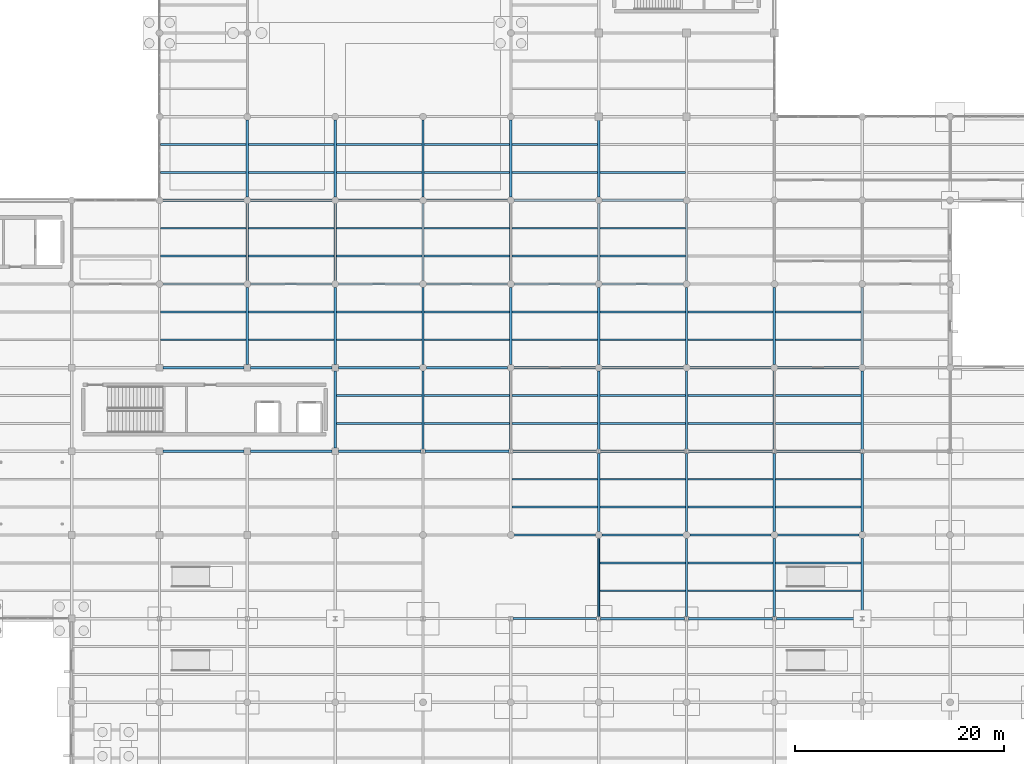
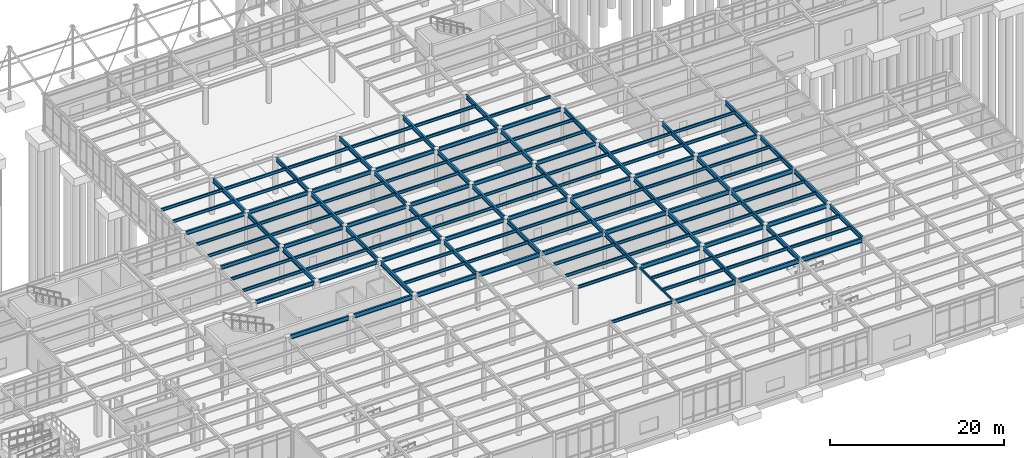
# One storey, part 36 of 138: 135 beams.
"""IFC4 building model written with IfcOpenShell, lengths in metres."""

from ifc_helpers import new_model, si_unit, direction, frame, origin, origin_2d, place, context, subcontext, project, spatial, hollow_rectangle, i_section, extrude, material, material_profile, profile_set, type_object, element, save


model = new_model("IFC4")

# Units and contexts
model_context = context("Model", 3, precision=1e-05, world=origin(), true_north=direction((0.0, 1.0)))
body_context = subcontext(model_context, "Body", "Model", "MODEL_VIEW")
ifc_project = project(units=[si_unit("LENGTHUNIT", "METRE"), si_unit("AREAUNIT", "SQUARE_METRE"), si_unit("VOLUMEUNIT", "CUBIC_METRE"), si_unit("PLANEANGLEUNIT", "RADIAN"), si_unit("MASSUNIT", "GRAM", prefix="KILO")], contexts=[model_context])

# Site, building, storey
site_placement = place(None, origin())
site = spatial("IfcSite", under=ifc_project, at=site_placement, CompositionType="ELEMENT")
building_placement = place(site_placement, origin())
building = spatial("IfcBuilding", under=site, at=building_placement, Name="Kranzveld Transit Interchange", CompositionType="ELEMENT")
storey_placement = place(building_placement, origin())
storey = spatial("IfcBuildingStorey", under=building, at=storey_placement, Name="L00", CompositionType="ELEMENT", Elevation=0.0)

# Beams
ifc_material_1 = material(Name="Steel S355JR", Category="steel")
ifc_material_profile_1 = material_profile(ifc_material_1, hollow_rectangle(XDim=0.199951171875, YDim=0.300048828125, WallThickness=0.010009765625, InnerFilletRadius=0.014892578125, OuterFilletRadius=0.02490234375, at=origin_2d()), Name="RHS 300x200x10")
ifc_profile_set_1 = profile_set([ifc_material_profile_1], Name="Steel S355JR")
beam_type_1 = type_object("IfcBeamType", Name="Edge Spandrel RHS 300x200x10 S355JR", PredefinedType="SPANDREL", material=ifc_profile_set_1)
beam_1_placement = place(storey_placement, frame((100.800048828125, 16.186767578125, 5.0), z_axis=(0.0, 1.0, 0.0), x_axis=(-1.0, 0.0, 0.0)))
element("IfcBeam", 1, at=beam_1_placement, inside=storey, type_object=beam_type_1, Name="L00 Girder 13/C-D", PredefinedType="SPANDREL", context=body_context, shape_type="SweptSolid", body=[
    extrude(hollow_rectangle(XDim=0.199951171875, YDim=0.300048828125, WallThickness=0.010009765625, InnerFilletRadius=0.014892578125, OuterFilletRadius=0.02490234375, at=origin_2d()), origin(), (0.0, 0.0, 1.0), 7.498291015625),
])
ifc_material_2 = material(Name="Steel S355JR", Category="steel")
ifc_material_profile_2 = material_profile(ifc_material_2, i_section(OverallWidth=0.1787109375, OverallDepth=0.409423828125, WebThickness=0.0087890625, FlangeThickness=0.014404296875, FilletRadius=0.01025390625, at=origin_2d()), Name="UB 406x178x67")
ifc_profile_set_2 = profile_set([ifc_material_profile_2], Name="Steel S355JR")
beam_type_2 = type_object("IfcBeamType", Name="Facade Spandrel UB 406x178x67 S355JR", PredefinedType="SPANDREL", material=ifc_profile_set_2)
beam_2_placement = place(storey_placement, frame((92.589599609375, 16.0, 4.9453125), z_axis=(1.0, 0.0, 0.0), x_axis=(0.0, 1.0, 0.0)))
element("IfcBeam", 2, at=beam_2_placement, inside=storey, type_object=beam_type_2, Name="L00 Girder 12-13/C", PredefinedType="SPANDREL", context=body_context, shape_type="SweptSolid", body=[
    extrude(i_section(OverallWidth=0.1787109375, OverallDepth=0.409423828125, WebThickness=0.0087890625, FlangeThickness=0.014404296875, FilletRadius=0.01025390625, at=origin_2d()), origin(), (0.0, 0.0, 1.0), 8.02099609375),
])
beam_3_placement = place(storey_placement, frame((92.715087890625, 24.0, 4.9453125), z_axis=(1.0, 0.0, 0.0), x_axis=(0.0, 1.0, 0.0)))
element("IfcBeam", 3, at=beam_3_placement, inside=storey, type_object=beam_type_2, Name="L00 Girder 12-13/D", PredefinedType="SPANDREL", context=body_context, shape_type="SweptSolid", body=[
    extrude(i_section(OverallWidth=0.1787109375, OverallDepth=0.409423828125, WebThickness=0.0087890625, FlangeThickness=0.014404296875, FilletRadius=0.01025390625, at=origin_2d()), origin(), (0.0, 0.0, 1.0), 7.77001953125),
])
ifc_material_3 = material(Name="Steel S355JR", Category="steel")
ifc_material_profile_3 = material_profile(ifc_material_3, i_section(OverallWidth=0.177734375, OverallDepth=0.402587890625, WebThickness=0.0078125, FlangeThickness=0.010986328125, FilletRadius=0.01025390625, at=origin_2d()), Name="UB 406x178x54")
ifc_profile_set_3 = profile_set([ifc_material_profile_3], Name="Steel S355JR")
beam_type_3 = type_object("IfcBeamType", Name="Floor Joist UB 406x178x54 S355JR", PredefinedType="JOIST", material=ifc_profile_set_3)
for number, where, z_axis, x_axis, name in (
    (4, (58.916015625, 42.666748046875, 4.94873046875), (1.0, 0.0, 0.0), (0.0, 1.0, 0.0), "L00 Secondary Joist 08-09/F.1"),
    (5, (58.916015625, 45.333251953125, 4.94873046875), (1.0, 0.0, 0.0), (0.0, 1.0, 0.0), "L00 Secondary Joist 08-09/F.2"),
    (6, (58.916015625, 50.666748046875, 4.94873046875), (1.0, 0.0, 0.0), (0.0, 1.0, 0.0), "L00 Secondary Joist 08-09/G.1"),
    (7, (58.916015625, 53.333251953125, 4.94873046875), (1.0, 0.0, 0.0), (0.0, 1.0, 0.0), "L00 Secondary Joist 08-09/G.2"),
):
    element("IfcBeam", number, at=place(storey_placement, frame(where, z_axis=z_axis, x_axis=x_axis)), inside=storey, type_object=beam_type_3, Name=name, PredefinedType="JOIST", context=body_context, shape_type="SweptSolid", body=[
        extrude(i_section(OverallWidth=0.177734375, OverallDepth=0.402587890625, WebThickness=0.0078125, FlangeThickness=0.010986328125, FilletRadius=0.01025390625, at=origin_2d()), origin(), (0.0, 0.0, 1.0), 8.16796875),
    ])
for number, where, z_axis, x_axis, name in (
    (8, (58.902099609375, 58.666748046875, 4.94873046875), (1.0, 0.0, 0.0), (0.0, 1.0, 0.0), "L00 Secondary Joist 08-09/H.1"),
    (9, (58.902099609375, 61.333251953125, 4.94873046875), (1.0, 0.0, 0.0), (0.0, 1.0, 0.0), "L00 Secondary Joist 08-09/H.2"),
):
    element("IfcBeam", number, at=place(storey_placement, frame(where, z_axis=z_axis, x_axis=x_axis)), inside=storey, type_object=beam_type_3, Name=name, PredefinedType="JOIST", context=body_context, shape_type="SweptSolid", body=[
        extrude(i_section(OverallWidth=0.177734375, OverallDepth=0.402587890625, WebThickness=0.0078125, FlangeThickness=0.010986328125, FilletRadius=0.01025390625, at=origin_2d()), origin(), (0.0, 0.0, 1.0), 8.181884765625),
    ])
for number, where, z_axis, x_axis, name in (
    (10, (67.316162109375, 42.666748046875, 4.94873046875), (1.0, 0.0, 0.0), (0.0, 1.0, 0.0), "L00 Secondary Joist 09-10/F.1"),
    (11, (67.316162109375, 45.333251953125, 4.94873046875), (1.0, 0.0, 0.0), (0.0, 1.0, 0.0), "L00 Secondary Joist 09-10/F.2"),
    (12, (67.316162109375, 50.666748046875, 4.94873046875), (1.0, 0.0, 0.0), (0.0, 1.0, 0.0), "L00 Secondary Joist 09-10/G.1"),
    (13, (67.316162109375, 53.333251953125, 4.94873046875), (1.0, 0.0, 0.0), (0.0, 1.0, 0.0), "L00 Secondary Joist 09-10/G.2"),
    (14, (67.316162109375, 58.666748046875, 4.94873046875), (1.0, 0.0, 0.0), (0.0, 1.0, 0.0), "L00 Secondary Joist 09-10/H.1"),
    (15, (67.316162109375, 61.333251953125, 4.94873046875), (1.0, 0.0, 0.0), (0.0, 1.0, 0.0), "L00 Secondary Joist 09-10/H.2"),
    (16, (75.716064453125, 34.666748046875, 4.94873046875), (1.0, 0.0, 0.0), (0.0, 1.0, 0.0), "L00 Secondary Joist 10-11/E.1"),
    (17, (75.716064453125, 37.333251953125, 4.94873046875), (1.0, 0.0, 0.0), (0.0, 1.0, 0.0), "L00 Secondary Joist 10-11/E.2"),
    (18, (75.716064453125, 42.666748046875, 4.94873046875), (1.0, 0.0, 0.0), (0.0, 1.0, 0.0), "L00 Secondary Joist 10-11/F.1"),
    (19, (75.716064453125, 45.333251953125, 4.94873046875), (1.0, 0.0, 0.0), (0.0, 1.0, 0.0), "L00 Secondary Joist 10-11/F.2"),
    (20, (75.716064453125, 50.666748046875, 4.94873046875), (1.0, 0.0, 0.0), (0.0, 1.0, 0.0), "L00 Secondary Joist 10-11/G.1"),
    (21, (75.716064453125, 53.333251953125, 4.94873046875), (1.0, 0.0, 0.0), (0.0, 1.0, 0.0), "L00 Secondary Joist 10-11/G.2"),
    (22, (75.716064453125, 58.666748046875, 4.94873046875), (1.0, 0.0, 0.0), (0.0, 1.0, 0.0), "L00 Secondary Joist 10-11/H.1"),
    (23, (75.716064453125, 61.333251953125, 4.94873046875), (1.0, 0.0, 0.0), (0.0, 1.0, 0.0), "L00 Secondary Joist 10-11/H.2"),
    (24, (84.1162109375, 34.666748046875, 4.94873046875), (1.0, 0.0, 0.0), (0.0, 1.0, 0.0), "L00 Secondary Joist 11-12/E.1"),
    (25, (84.1162109375, 37.333251953125, 4.94873046875), (1.0, 0.0, 0.0), (0.0, 1.0, 0.0), "L00 Secondary Joist 11-12/E.2"),
    (26, (84.1162109375, 42.666748046875, 4.94873046875), (1.0, 0.0, 0.0), (0.0, 1.0, 0.0), "L00 Secondary Joist 11-12/F.1"),
    (27, (84.1162109375, 45.333251953125, 4.94873046875), (1.0, 0.0, 0.0), (0.0, 1.0, 0.0), "L00 Secondary Joist 11-12/F.2"),
    (28, (84.1162109375, 50.666748046875, 4.94873046875), (1.0, 0.0, 0.0), (0.0, 1.0, 0.0), "L00 Secondary Joist 11-12/G.1"),
    (29, (84.1162109375, 53.333251953125, 4.94873046875), (1.0, 0.0, 0.0), (0.0, 1.0, 0.0), "L00 Secondary Joist 11-12/G.2"),
    (30, (84.1162109375, 58.666748046875, 4.94873046875), (1.0, 0.0, 0.0), (0.0, 1.0, 0.0), "L00 Secondary Joist 11-12/H.1"),
    (31, (84.1162109375, 61.333251953125, 4.94873046875), (1.0, 0.0, 0.0), (0.0, 1.0, 0.0), "L00 Secondary Joist 11-12/H.2"),
    (32, (92.51611328125, 26.666748046875, 4.94873046875), (1.0, 0.0, 0.0), (0.0, 1.0, 0.0), "L00 Secondary Joist 12-13/D.1"),
    (33, (92.51611328125, 29.333251953125, 4.94873046875), (1.0, 0.0, 0.0), (0.0, 1.0, 0.0), "L00 Secondary Joist 12-13/D.2"),
    (34, (92.51611328125, 34.666748046875, 4.94873046875), (1.0, 0.0, 0.0), (0.0, 1.0, 0.0), "L00 Secondary Joist 12-13/E.1"),
    (35, (92.51611328125, 37.333251953125, 4.94873046875), (1.0, 0.0, 0.0), (0.0, 1.0, 0.0), "L00 Secondary Joist 12-13/E.2"),
    (36, (92.51611328125, 42.666748046875, 4.94873046875), (1.0, 0.0, 0.0), (0.0, 1.0, 0.0), "L00 Secondary Joist 12-13/F.1"),
    (37, (92.51611328125, 45.333251953125, 4.94873046875), (1.0, 0.0, 0.0), (0.0, 1.0, 0.0), "L00 Secondary Joist 12-13/F.2"),
    (38, (92.51611328125, 50.666748046875, 4.94873046875), (1.0, 0.0, 0.0), (0.0, 1.0, 0.0), "L00 Secondary Joist 12-13/G.1"),
    (39, (92.51611328125, 53.333251953125, 4.94873046875), (1.0, 0.0, 0.0), (0.0, 1.0, 0.0), "L00 Secondary Joist 12-13/G.2"),
    (40, (92.51611328125, 58.666748046875, 4.94873046875), (1.0, 0.0, 0.0), (0.0, 1.0, 0.0), "L00 Secondary Joist 12-13/H.1"),
    (41, (92.51611328125, 61.333251953125, 4.94873046875), (1.0, 0.0, 0.0), (0.0, 1.0, 0.0), "L00 Secondary Joist 12-13/H.2"),
):
    element("IfcBeam", number, at=place(storey_placement, frame(where, z_axis=z_axis, x_axis=x_axis)), inside=storey, type_object=beam_type_3, Name=name, PredefinedType="JOIST", context=body_context, shape_type="SweptSolid", body=[
        extrude(i_section(OverallWidth=0.177734375, OverallDepth=0.402587890625, WebThickness=0.0078125, FlangeThickness=0.010986328125, FilletRadius=0.01025390625, at=origin_2d()), origin(), (0.0, 0.0, 1.0), 8.167724609375),
    ])
for number, where, z_axis, x_axis, name in (
    (42, (100.902099609375, 18.666748046875, 4.94873046875), (1.0, 0.0, 0.0), (0.0, 1.0, 0.0), "L00 Secondary Joist 13-14/C.1"),
    (43, (100.902099609375, 21.333251953125, 4.94873046875), (1.0, 0.0, 0.0), (0.0, 1.0, 0.0), "L00 Secondary Joist 13-14/C.2"),
):
    element("IfcBeam", number, at=place(storey_placement, frame(where, z_axis=z_axis, x_axis=x_axis)), inside=storey, type_object=beam_type_3, Name=name, PredefinedType="JOIST", context=body_context, shape_type="SweptSolid", body=[
        extrude(i_section(OverallWidth=0.177734375, OverallDepth=0.402587890625, WebThickness=0.0078125, FlangeThickness=0.010986328125, FilletRadius=0.01025390625, at=origin_2d()), origin(), (0.0, 0.0, 1.0), 8.181884765625),
    ])
for number, where, z_axis, x_axis, name in (
    (44, (100.916015625, 26.666748046875, 4.94873046875), (1.0, 0.0, 0.0), (0.0, 1.0, 0.0), "L00 Secondary Joist 13-14/D.1"),
    (45, (100.916015625, 29.333251953125, 4.94873046875), (1.0, 0.0, 0.0), (0.0, 1.0, 0.0), "L00 Secondary Joist 13-14/D.2"),
    (46, (100.916015625, 34.666748046875, 4.94873046875), (1.0, 0.0, 0.0), (0.0, 1.0, 0.0), "L00 Secondary Joist 13-14/E.1"),
    (47, (100.916015625, 37.333251953125, 4.94873046875), (1.0, 0.0, 0.0), (0.0, 1.0, 0.0), "L00 Secondary Joist 13-14/E.2"),
    (48, (100.916015625, 42.666748046875, 4.94873046875), (1.0, 0.0, 0.0), (0.0, 1.0, 0.0), "L00 Secondary Joist 13-14/F.1"),
    (49, (100.916015625, 45.333251953125, 4.94873046875), (1.0, 0.0, 0.0), (0.0, 1.0, 0.0), "L00 Secondary Joist 13-14/F.2"),
    (50, (100.916015625, 50.666748046875, 4.94873046875), (1.0, 0.0, 0.0), (0.0, 1.0, 0.0), "L00 Secondary Joist 13-14/G.1"),
    (51, (100.916015625, 53.333251953125, 4.94873046875), (1.0, 0.0, 0.0), (0.0, 1.0, 0.0), "L00 Secondary Joist 13-14/G.2"),
    (52, (100.916015625, 58.666748046875, 4.94873046875), (1.0, 0.0, 0.0), (0.0, 1.0, 0.0), "L00 Secondary Joist 13-14/H.1"),
):
    element("IfcBeam", number, at=place(storey_placement, frame(where, z_axis=z_axis, x_axis=x_axis)), inside=storey, type_object=beam_type_3, Name=name, PredefinedType="JOIST", context=body_context, shape_type="SweptSolid", body=[
        extrude(i_section(OverallWidth=0.177734375, OverallDepth=0.402587890625, WebThickness=0.0078125, FlangeThickness=0.010986328125, FilletRadius=0.01025390625, at=origin_2d()), origin(), (0.0, 0.0, 1.0), 8.16796875),
    ])
for number, where, z_axis, x_axis, name in (
    (53, (109.316162109375, 18.666748046875, 4.94873046875), (1.0, 0.0, 0.0), (0.0, 1.0, 0.0), "L00 Secondary Joist 14-15/C.1"),
    (54, (109.316162109375, 21.333251953125, 4.94873046875), (1.0, 0.0, 0.0), (0.0, 1.0, 0.0), "L00 Secondary Joist 14-15/C.2"),
    (55, (109.316162109375, 26.666748046875, 4.94873046875), (1.0, 0.0, 0.0), (0.0, 1.0, 0.0), "L00 Secondary Joist 14-15/D.1"),
    (56, (109.316162109375, 29.333251953125, 4.94873046875), (1.0, 0.0, 0.0), (0.0, 1.0, 0.0), "L00 Secondary Joist 14-15/D.2"),
    (57, (109.316162109375, 34.666748046875, 4.94873046875), (1.0, 0.0, 0.0), (0.0, 1.0, 0.0), "L00 Secondary Joist 14-15/E.1"),
    (58, (109.316162109375, 37.333251953125, 4.94873046875), (1.0, 0.0, 0.0), (0.0, 1.0, 0.0), "L00 Secondary Joist 14-15/E.2"),
    (59, (109.316162109375, 42.666748046875, 4.94873046875), (1.0, 0.0, 0.0), (0.0, 1.0, 0.0), "L00 Secondary Joist 14-15/F.1"),
    (60, (109.316162109375, 45.333251953125, 4.94873046875), (1.0, 0.0, 0.0), (0.0, 1.0, 0.0), "L00 Secondary Joist 14-15/F.2"),
    (61, (117.716064453125, 18.666748046875, 4.94873046875), (1.0, 0.0, 0.0), (0.0, 1.0, 0.0), "L00 Secondary Joist 15-16/C.1"),
    (62, (117.716064453125, 21.333251953125, 4.94873046875), (1.0, 0.0, 0.0), (0.0, 1.0, 0.0), "L00 Secondary Joist 15-16/C.2"),
    (63, (117.716064453125, 26.666748046875, 4.94873046875), (1.0, 0.0, 0.0), (0.0, 1.0, 0.0), "L00 Secondary Joist 15-16/D.1"),
    (64, (117.716064453125, 29.333251953125, 4.94873046875), (1.0, 0.0, 0.0), (0.0, 1.0, 0.0), "L00 Secondary Joist 15-16/D.2"),
    (65, (117.716064453125, 34.666748046875, 4.94873046875), (1.0, 0.0, 0.0), (0.0, 1.0, 0.0), "L00 Secondary Joist 15-16/E.1"),
    (66, (117.716064453125, 37.333251953125, 4.94873046875), (1.0, 0.0, 0.0), (0.0, 1.0, 0.0), "L00 Secondary Joist 15-16/E.2"),
    (67, (117.716064453125, 42.666748046875, 4.94873046875), (1.0, 0.0, 0.0), (0.0, 1.0, 0.0), "L00 Secondary Joist 15-16/F.1"),
    (68, (117.716064453125, 45.333251953125, 4.94873046875), (1.0, 0.0, 0.0), (0.0, 1.0, 0.0), "L00 Secondary Joist 15-16/F.2"),
):
    element("IfcBeam", number, at=place(storey_placement, frame(where, z_axis=z_axis, x_axis=x_axis)), inside=storey, type_object=beam_type_3, Name=name, PredefinedType="JOIST", context=body_context, shape_type="SweptSolid", body=[
        extrude(i_section(OverallWidth=0.177734375, OverallDepth=0.402587890625, WebThickness=0.0078125, FlangeThickness=0.010986328125, FilletRadius=0.01025390625, at=origin_2d()), origin(), (0.0, 0.0, 1.0), 8.167724609375),
    ])
ifc_material_4 = material(Name="Steel S355JR", Category="steel")
ifc_material_profile_4 = material_profile(ifc_material_4, i_section(OverallWidth=0.2119140625, OverallDepth=0.54443359375, WebThickness=0.0126953125, FlangeThickness=0.021240234375, FilletRadius=0.0126953125, at=origin_2d()), Name="UB 533x210x122")
ifc_profile_set_4 = profile_set([ifc_material_profile_4], Name="Steel S355JR")
beam_type_4 = type_object("IfcBeamType", Name="Girder Steel UB 533x210x122 S355JR", PredefinedType="BEAM", material=ifc_profile_set_4)
for number, where, z_axis, x_axis, name in (
    (69, (59.114990234375, 40.0, 4.877685546875), (1.0, 0.0, 0.0), (0.0, 1.0, 0.0), "L00 Girder 08-09/F"),
    (70, (67.514892578125, 40.0, 4.877685546875), (1.0, 0.0, 0.0), (0.0, 1.0, 0.0), "L00 Girder 09-10/F"),
    (71, (75.9150390625, 40.0, 4.877685546875), (1.0, 0.0, 0.0), (0.0, 1.0, 0.0), "L00 Girder 10-11/F"),
    (72, (84.31494140625, 40.0, 4.877685546875), (1.0, 0.0, 0.0), (0.0, 1.0, 0.0), "L00 Girder 11-12/F"),
    (73, (92.715087890625, 40.0, 4.877685546875), (1.0, 0.0, 0.0), (0.0, 1.0, 0.0), "L00 Girder 12-13/F"),
    (74, (101.114990234375, 40.0, 4.877685546875), (1.0, 0.0, 0.0), (0.0, 1.0, 0.0), "L00 Girder 13-14/F"),
    (75, (109.514892578125, 40.0, 4.877685546875), (1.0, 0.0, 0.0), (0.0, 1.0, 0.0), "L00 Girder 14-15/F"),
    (76, (117.9150390625, 40.0, 4.877685546875), (1.0, 0.0, 0.0), (0.0, 1.0, 0.0), "L00 Girder 15-16/F"),
    (77, (59.114990234375, 48.0, 4.877685546875), (1.0, 0.0, 0.0), (0.0, 1.0, 0.0), "L00 Girder 08-09/G"),
    (78, (67.514892578125, 48.0, 4.877685546875), (1.0, 0.0, 0.0), (0.0, 1.0, 0.0), "L00 Girder 09-10/G"),
    (79, (75.9150390625, 48.0, 4.877685546875), (1.0, 0.0, 0.0), (0.0, 1.0, 0.0), "L00 Girder 10-11/G"),
    (80, (84.31494140625, 48.0, 4.877685546875), (1.0, 0.0, 0.0), (0.0, 1.0, 0.0), "L00 Girder 11-12/G"),
    (81, (92.715087890625, 48.0, 4.877685546875), (1.0, 0.0, 0.0), (0.0, 1.0, 0.0), "L00 Girder 12-13/G"),
    (82, (101.114990234375, 48.0, 4.877685546875), (1.0, 0.0, 0.0), (0.0, 1.0, 0.0), "L00 Girder 13-14/G"),
    (83, (59.114990234375, 56.0, 4.877685546875), (1.0, 0.0, 0.0), (0.0, 1.0, 0.0), "L00 Girder 08-09/H"),
    (84, (67.514892578125, 56.0, 4.877685546875), (1.0, 0.0, 0.0), (0.0, 1.0, 0.0), "L00 Girder 09-10/H"),
    (85, (75.9150390625, 56.0, 4.877685546875), (1.0, 0.0, 0.0), (0.0, 1.0, 0.0), "L00 Girder 10-11/H"),
    (86, (84.31494140625, 56.0, 4.877685546875), (1.0, 0.0, 0.0), (0.0, 1.0, 0.0), "L00 Girder 11-12/H"),
    (87, (92.715087890625, 56.0, 4.877685546875), (1.0, 0.0, 0.0), (0.0, 1.0, 0.0), "L00 Girder 12-13/H"),
    (88, (101.114990234375, 56.0, 4.877685546875), (1.0, 0.0, 0.0), (0.0, 1.0, 0.0), "L00 Girder 13-14/H"),
):
    element("IfcBeam", number, at=place(storey_placement, frame(where, z_axis=z_axis, x_axis=x_axis)), inside=storey, type_object=beam_type_4, Name=name, PredefinedType="BEAM", context=body_context, shape_type="SweptSolid", body=[
        extrude(i_section(OverallWidth=0.2119140625, OverallDepth=0.54443359375, WebThickness=0.0126953125, FlangeThickness=0.021240234375, FilletRadius=0.0126953125, at=origin_2d()), origin(), (0.0, 0.0, 1.0), 7.77001953125),
    ])
ifc_material_5 = material(Name="Steel S355JR", Category="steel")
ifc_material_profile_5 = material_profile(ifc_material_5, i_section(OverallWidth=0.228271484375, OverallDepth=0.607666015625, WebThickness=0.010986328125, FlangeThickness=0.017333984375, FilletRadius=0.0126953125, at=origin_2d()), Name="UB 610x229x113")
ifc_profile_set_5 = profile_set([ifc_material_profile_5], Name="Steel S355JR")
beam_type_5 = type_object("IfcBeamType", Name="Girder Steel UB 610x229x113 S355JR", PredefinedType="BEAM", material=ifc_profile_set_5)
for number, where, z_axis, x_axis, name in (
    (89, (67.199951171875, 40.31494140625, 4.84619140625), (0.0, 1.0, 0.0), (-1.0, 0.0, 0.0), "L00 Girder 09/F-G"),
    (90, (67.199951171875, 48.31494140625, 4.84619140625), (0.0, 1.0, 0.0), (-1.0, 0.0, 0.0), "L00 Girder 09/G-H"),
    (91, (67.199951171875, 56.31494140625, 4.84619140625), (0.0, 1.0, 0.0), (-1.0, 0.0, 0.0), "L00 Girder 09/H-J"),
    (92, (75.60009765625, 32.31494140625, 4.84619140625), (0.0, 1.0, 0.0), (-1.0, 0.0, 0.0), "L00 Girder 10/E-F"),
    (93, (75.60009765625, 40.31494140625, 4.84619140625), (0.0, 1.0, 0.0), (-1.0, 0.0, 0.0), "L00 Girder 10/F-G"),
    (94, (75.60009765625, 48.31494140625, 4.84619140625), (0.0, 1.0, 0.0), (-1.0, 0.0, 0.0), "L00 Girder 10/G-H"),
    (95, (75.60009765625, 56.31494140625, 4.84619140625), (0.0, 1.0, 0.0), (-1.0, 0.0, 0.0), "L00 Girder 10/H-J"),
):
    element("IfcBeam", number, at=place(storey_placement, frame(where, z_axis=z_axis, x_axis=x_axis)), inside=storey, type_object=beam_type_5, Name=name, PredefinedType="BEAM", context=body_context, shape_type="SweptSolid", body=[
        extrude(i_section(OverallWidth=0.228271484375, OverallDepth=0.607666015625, WebThickness=0.010986328125, FlangeThickness=0.017333984375, FilletRadius=0.0126953125, at=origin_2d()), origin(), (0.0, 0.0, 1.0), 7.3701171875),
    ])
beam_4_placement = place(storey_placement, frame((84.0, 32.186767578125, 4.84619140625), z_axis=(0.0, 1.0, 0.0), x_axis=(-1.0, 0.0, 0.0)))
element("IfcBeam", 96, at=beam_4_placement, inside=storey, type_object=beam_type_5, Name="L00 Girder 11/E-F", PredefinedType="BEAM", context=body_context, shape_type="SweptSolid", body=[
    extrude(i_section(OverallWidth=0.228271484375, OverallDepth=0.607666015625, WebThickness=0.010986328125, FlangeThickness=0.017333984375, FilletRadius=0.0126953125, at=origin_2d()), origin(), (0.0, 0.0, 1.0), 7.498291015625),
])
for number, where, z_axis, x_axis, name in (
    (97, (84.0, 40.31494140625, 4.84619140625), (0.0, 1.0, 0.0), (-1.0, 0.0, 0.0), "L00 Girder 11/F-G"),
    (98, (84.0, 48.31494140625, 4.84619140625), (0.0, 1.0, 0.0), (-1.0, 0.0, 0.0), "L00 Girder 11/G-H"),
    (99, (84.0, 56.31494140625, 4.84619140625), (0.0, 1.0, 0.0), (-1.0, 0.0, 0.0), "L00 Girder 11/H-J"),
):
    element("IfcBeam", number, at=place(storey_placement, frame(where, z_axis=z_axis, x_axis=x_axis)), inside=storey, type_object=beam_type_5, Name=name, PredefinedType="BEAM", context=body_context, shape_type="SweptSolid", body=[
        extrude(i_section(OverallWidth=0.228271484375, OverallDepth=0.607666015625, WebThickness=0.010986328125, FlangeThickness=0.017333984375, FilletRadius=0.0126953125, at=origin_2d()), origin(), (0.0, 0.0, 1.0), 7.3701171875),
    ])
beam_5_placement = place(storey_placement, frame((92.39990234375, 32.186767578125, 4.84619140625), z_axis=(0.0, 1.0, 0.0), x_axis=(-1.0, 0.0, 0.0)))
element("IfcBeam", 100, at=beam_5_placement, inside=storey, type_object=beam_type_5, Name="L00 Girder 12/E-F", PredefinedType="BEAM", context=body_context, shape_type="SweptSolid", body=[
    extrude(i_section(OverallWidth=0.228271484375, OverallDepth=0.607666015625, WebThickness=0.010986328125, FlangeThickness=0.017333984375, FilletRadius=0.0126953125, at=origin_2d()), origin(), (0.0, 0.0, 1.0), 7.498291015625),
])
for number, where, z_axis, x_axis, name in (
    (101, (92.39990234375, 40.31494140625, 4.84619140625), (0.0, 1.0, 0.0), (-1.0, 0.0, 0.0), "L00 Girder 12/F-G"),
    (102, (92.39990234375, 48.31494140625, 4.84619140625), (0.0, 1.0, 0.0), (-1.0, 0.0, 0.0), "L00 Girder 12/G-H"),
    (103, (92.39990234375, 56.31494140625, 4.84619140625), (0.0, 1.0, 0.0), (-1.0, 0.0, 0.0), "L00 Girder 12/H-J"),
):
    element("IfcBeam", number, at=place(storey_placement, frame(where, z_axis=z_axis, x_axis=x_axis)), inside=storey, type_object=beam_type_5, Name=name, PredefinedType="BEAM", context=body_context, shape_type="SweptSolid", body=[
        extrude(i_section(OverallWidth=0.228271484375, OverallDepth=0.607666015625, WebThickness=0.010986328125, FlangeThickness=0.017333984375, FilletRadius=0.0126953125, at=origin_2d()), origin(), (0.0, 0.0, 1.0), 7.3701171875),
    ])
for number, where, z_axis, x_axis, name in (
    (104, (100.800048828125, 24.31494140625, 4.84619140625), (0.0, 1.0, 0.0), (-1.0, 0.0, 0.0), "L00 Girder 13/D-E"),
    (105, (100.800048828125, 32.186767578125, 4.84619140625), (0.0, 1.0, 0.0), (-1.0, 0.0, 0.0), "L00 Girder 13/E-F"),
):
    element("IfcBeam", number, at=place(storey_placement, frame(where, z_axis=z_axis, x_axis=x_axis)), inside=storey, type_object=beam_type_5, Name=name, PredefinedType="BEAM", context=body_context, shape_type="SweptSolid", body=[
        extrude(i_section(OverallWidth=0.228271484375, OverallDepth=0.607666015625, WebThickness=0.010986328125, FlangeThickness=0.017333984375, FilletRadius=0.0126953125, at=origin_2d()), origin(), (0.0, 0.0, 1.0), 7.498291015625),
    ])
for number, where, z_axis, x_axis, name in (
    (106, (100.800048828125, 40.31494140625, 4.84619140625), (0.0, 1.0, 0.0), (-1.0, 0.0, 0.0), "L00 Girder 13/F-G"),
    (107, (100.800048828125, 48.31494140625, 4.84619140625), (0.0, 1.0, 0.0), (-1.0, 0.0, 0.0), "L00 Girder 13/G-H"),
):
    element("IfcBeam", number, at=place(storey_placement, frame(where, z_axis=z_axis, x_axis=x_axis)), inside=storey, type_object=beam_type_5, Name=name, PredefinedType="BEAM", context=body_context, shape_type="SweptSolid", body=[
        extrude(i_section(OverallWidth=0.228271484375, OverallDepth=0.607666015625, WebThickness=0.010986328125, FlangeThickness=0.017333984375, FilletRadius=0.0126953125, at=origin_2d()), origin(), (0.0, 0.0, 1.0), 7.3701171875),
    ])
beam_6_placement = place(storey_placement, frame((100.800048828125, 56.31494140625, 4.84619140625), z_axis=(0.0, 1.0, 0.0), x_axis=(-1.0, 0.0, 0.0)))
element("IfcBeam", 108, at=beam_6_placement, inside=storey, type_object=beam_type_5, Name="L00 Girder 13/H-J", PredefinedType="BEAM", context=body_context, shape_type="SweptSolid", body=[
    extrude(i_section(OverallWidth=0.228271484375, OverallDepth=0.607666015625, WebThickness=0.010986328125, FlangeThickness=0.017333984375, FilletRadius=0.0126953125, at=origin_2d()), origin(), (0.0, 0.0, 1.0), 7.344970703125),
])
for number, where, z_axis, x_axis, name in (
    (109, (109.199951171875, 16.186767578125, 4.84619140625), (0.0, 1.0, 0.0), (-1.0, 0.0, 0.0), "L00 Girder 14/C-D"),
    (110, (109.199951171875, 24.31494140625, 4.84619140625), (0.0, 1.0, 0.0), (-1.0, 0.0, 0.0), "L00 Girder 14/D-E"),
    (111, (109.199951171875, 32.186767578125, 4.84619140625), (0.0, 1.0, 0.0), (-1.0, 0.0, 0.0), "L00 Girder 14/E-F"),
):
    element("IfcBeam", number, at=place(storey_placement, frame(where, z_axis=z_axis, x_axis=x_axis)), inside=storey, type_object=beam_type_5, Name=name, PredefinedType="BEAM", context=body_context, shape_type="SweptSolid", body=[
        extrude(i_section(OverallWidth=0.228271484375, OverallDepth=0.607666015625, WebThickness=0.010986328125, FlangeThickness=0.017333984375, FilletRadius=0.0126953125, at=origin_2d()), origin(), (0.0, 0.0, 1.0), 7.498291015625),
    ])
for number, where, z_axis, x_axis, name in (
    (112, (109.199951171875, 40.31494140625, 4.84619140625), (0.0, 1.0, 0.0), (-1.0, 0.0, 0.0), "L00 Girder 14/F-G"),
    (113, (109.199951171875, 48.31494140625, 4.84619140625), (0.0, 1.0, 0.0), (-1.0, 0.0, 0.0), "L00 Girder 14/G-H"),
):
    element("IfcBeam", number, at=place(storey_placement, frame(where, z_axis=z_axis, x_axis=x_axis)), inside=storey, type_object=beam_type_5, Name=name, PredefinedType="BEAM", context=body_context, shape_type="SweptSolid", body=[
        extrude(i_section(OverallWidth=0.228271484375, OverallDepth=0.607666015625, WebThickness=0.010986328125, FlangeThickness=0.017333984375, FilletRadius=0.0126953125, at=origin_2d()), origin(), (0.0, 0.0, 1.0), 7.3701171875),
    ])
for number, where, z_axis, x_axis, name in (
    (114, (117.60009765625, 16.186767578125, 4.84619140625), (0.0, 1.0, 0.0), (-1.0, 0.0, 0.0), "L00 Girder 15/C-D"),
    (115, (117.60009765625, 24.31494140625, 4.84619140625), (0.0, 1.0, 0.0), (-1.0, 0.0, 0.0), "L00 Girder 15/D-E"),
    (116, (117.60009765625, 32.186767578125, 4.84619140625), (0.0, 1.0, 0.0), (-1.0, 0.0, 0.0), "L00 Girder 15/E-F"),
):
    element("IfcBeam", number, at=place(storey_placement, frame(where, z_axis=z_axis, x_axis=x_axis)), inside=storey, type_object=beam_type_5, Name=name, PredefinedType="BEAM", context=body_context, shape_type="SweptSolid", body=[
        extrude(i_section(OverallWidth=0.228271484375, OverallDepth=0.607666015625, WebThickness=0.010986328125, FlangeThickness=0.017333984375, FilletRadius=0.0126953125, at=origin_2d()), origin(), (0.0, 0.0, 1.0), 7.498291015625),
    ])
beam_7_placement = place(storey_placement, frame((117.60009765625, 40.31494140625, 4.84619140625), z_axis=(0.0, 1.0, 0.0), x_axis=(-1.0, 0.0, 0.0)))
element("IfcBeam", 117, at=beam_7_placement, inside=storey, type_object=beam_type_5, Name="L00 Girder 15/F-G", PredefinedType="BEAM", context=body_context, shape_type="SweptSolid", body=[
    extrude(i_section(OverallWidth=0.228271484375, OverallDepth=0.607666015625, WebThickness=0.010986328125, FlangeThickness=0.017333984375, FilletRadius=0.0126953125, at=origin_2d()), origin(), (0.0, 0.0, 1.0), 7.3701171875),
])
for number, where, z_axis, x_axis, name in (
    (118, (126.0, 16.186767578125, 4.84619140625), (0.0, 1.0, 0.0), (-1.0, 0.0, 0.0), "L00 Girder 16/C-D"),
    (119, (126.0, 24.31494140625, 4.84619140625), (0.0, 1.0, 0.0), (-1.0, 0.0, 0.0), "L00 Girder 16/D-E"),
    (120, (126.0, 32.186767578125, 4.84619140625), (0.0, 1.0, 0.0), (-1.0, 0.0, 0.0), "L00 Girder 16/E-F"),
):
    element("IfcBeam", number, at=place(storey_placement, frame(where, z_axis=z_axis, x_axis=x_axis)), inside=storey, type_object=beam_type_5, Name=name, PredefinedType="BEAM", context=body_context, shape_type="SweptSolid", body=[
        extrude(i_section(OverallWidth=0.228271484375, OverallDepth=0.607666015625, WebThickness=0.010986328125, FlangeThickness=0.017333984375, FilletRadius=0.0126953125, at=origin_2d()), origin(), (0.0, 0.0, 1.0), 7.498291015625),
    ])
beam_8_placement = place(storey_placement, frame((126.0, 40.31494140625, 4.84619140625), z_axis=(0.0, 1.0, 0.0), x_axis=(-1.0, 0.0, 0.0)))
element("IfcBeam", 121, at=beam_8_placement, inside=storey, type_object=beam_type_5, Name="L00 Girder 16/F-G", PredefinedType="BEAM", context=body_context, shape_type="SweptSolid", body=[
    extrude(i_section(OverallWidth=0.228271484375, OverallDepth=0.607666015625, WebThickness=0.010986328125, FlangeThickness=0.017333984375, FilletRadius=0.0126953125, at=origin_2d()), origin(), (0.0, 0.0, 1.0), 7.3701171875),
])
ifc_material_6 = material(Name="Steel S355JR", Category="steel")
ifc_material_profile_6 = material_profile(ifc_material_6, i_section(OverallWidth=0.230224609375, OverallDepth=0.6171875, WebThickness=0.01318359375, FlangeThickness=0.022216796875, FilletRadius=0.0126953125, at=origin_2d()), Name="UB 610x229x140")
ifc_profile_set_6 = profile_set([ifc_material_profile_6], Name="Steel S355JR")
beam_type_6 = type_object("IfcBeamType", Name="Girder Steel UB 610x229x140 S355JR", PredefinedType="BEAM", material=ifc_profile_set_6)
for number, where, z_axis, x_axis, name in (
    (122, (100.989501953125, 16.0, 4.84130859375), (1.0, 0.0, 0.0), (0.0, 1.0, 0.0), "L00 Girder 13-14/C"),
    (123, (109.389404296875, 16.0, 4.84130859375), (1.0, 0.0, 0.0), (0.0, 1.0, 0.0), "L00 Girder 14-15/C"),
    (124, (117.78955078125, 16.0, 4.84130859375), (1.0, 0.0, 0.0), (0.0, 1.0, 0.0), "L00 Girder 15-16/C"),
):
    element("IfcBeam", number, at=place(storey_placement, frame(where, z_axis=z_axis, x_axis=x_axis)), inside=storey, type_object=beam_type_6, Name=name, PredefinedType="BEAM", context=body_context, shape_type="SweptSolid", body=[
        extrude(i_section(OverallWidth=0.230224609375, OverallDepth=0.6171875, WebThickness=0.01318359375, FlangeThickness=0.022216796875, FilletRadius=0.0126953125, at=origin_2d()), origin(), (0.0, 0.0, 1.0), 8.02099609375),
    ])
for number, where, z_axis, x_axis, name in (
    (125, (101.114990234375, 24.0, 4.84130859375), (1.0, 0.0, 0.0), (0.0, 1.0, 0.0), "L00 Girder 13-14/D"),
    (126, (109.514892578125, 24.0, 4.84130859375), (1.0, 0.0, 0.0), (0.0, 1.0, 0.0), "L00 Girder 14-15/D"),
    (127, (117.9150390625, 24.0, 4.84130859375), (1.0, 0.0, 0.0), (0.0, 1.0, 0.0), "L00 Girder 15-16/D"),
    (128, (59.114990234375, 32.0, 4.84130859375), (1.0, 0.0, 0.0), (0.0, 1.0, 0.0), "L00 Girder 08-09/E"),
    (129, (67.514892578125, 32.0, 4.84130859375), (1.0, 0.0, 0.0), (0.0, 1.0, 0.0), "L00 Girder 09-10/E"),
):
    element("IfcBeam", number, at=place(storey_placement, frame(where, z_axis=z_axis, x_axis=x_axis)), inside=storey, type_object=beam_type_6, Name=name, PredefinedType="BEAM", context=body_context, shape_type="SweptSolid", body=[
        extrude(i_section(OverallWidth=0.230224609375, OverallDepth=0.6171875, WebThickness=0.01318359375, FlangeThickness=0.022216796875, FilletRadius=0.0126953125, at=origin_2d()), origin(), (0.0, 0.0, 1.0), 7.77001953125),
    ])
beam_9_placement = place(storey_placement, frame((75.9150390625, 32.0, 4.84130859375), z_axis=(1.0, 0.0, 0.0), x_axis=(0.0, 1.0, 0.0)))
element("IfcBeam", 130, at=beam_9_placement, inside=storey, type_object=beam_type_6, Name="L00 Girder 10-11/E", PredefinedType="BEAM", context=body_context, shape_type="SweptSolid", body=[
    extrude(i_section(OverallWidth=0.230224609375, OverallDepth=0.6171875, WebThickness=0.01318359375, FlangeThickness=0.022216796875, FilletRadius=0.0126953125, at=origin_2d()), origin(), (0.0, 0.0, 1.0), 7.8955078125),
])
for number, where, z_axis, x_axis, name in (
    (131, (84.189453125, 32.0, 4.84130859375), (1.0, 0.0, 0.0), (0.0, 1.0, 0.0), "L00 Girder 11-12/E"),
    (132, (92.589599609375, 32.0, 4.84130859375), (1.0, 0.0, 0.0), (0.0, 1.0, 0.0), "L00 Girder 12-13/E"),
    (133, (100.989501953125, 32.0, 4.84130859375), (1.0, 0.0, 0.0), (0.0, 1.0, 0.0), "L00 Girder 13-14/E"),
    (134, (109.389404296875, 32.0, 4.84130859375), (1.0, 0.0, 0.0), (0.0, 1.0, 0.0), "L00 Girder 14-15/E"),
    (135, (117.78955078125, 32.0, 4.84130859375), (1.0, 0.0, 0.0), (0.0, 1.0, 0.0), "L00 Girder 15-16/E"),
):
    element("IfcBeam", number, at=place(storey_placement, frame(where, z_axis=z_axis, x_axis=x_axis)), inside=storey, type_object=beam_type_6, Name=name, PredefinedType="BEAM", context=body_context, shape_type="SweptSolid", body=[
        extrude(i_section(OverallWidth=0.230224609375, OverallDepth=0.6171875, WebThickness=0.01318359375, FlangeThickness=0.022216796875, FilletRadius=0.0126953125, at=origin_2d()), origin(), (0.0, 0.0, 1.0), 8.02099609375),
    ])

save(model, "model.ifc")
